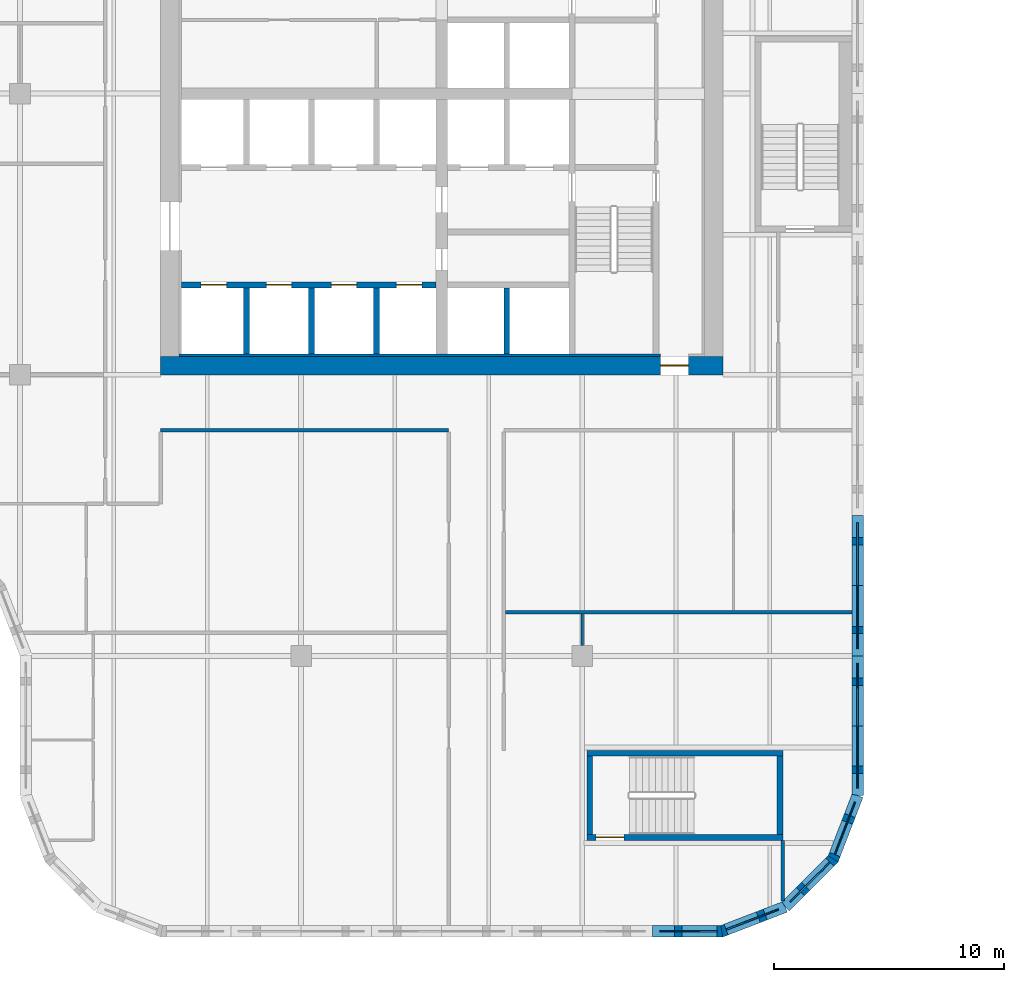
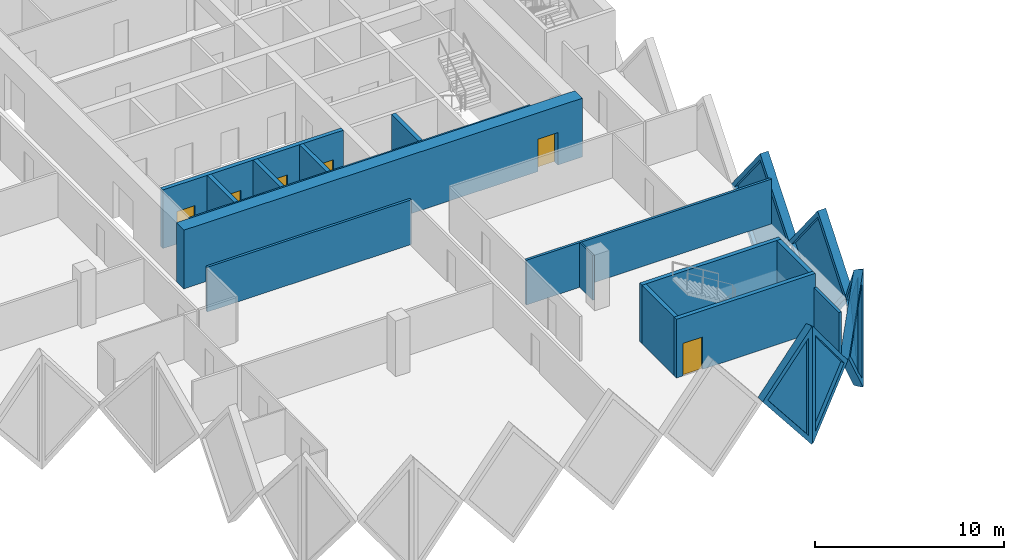
# One storey, part 6 of 21: 21 walls, 6 doors, 6 plates, 12 openings.
"""IFC4 building model written with IfcOpenShell, lengths in metres."""

from ifc_helpers import new_model, si_unit, direction, frame, frame_2d, origin, place, context, subcontext, project, spatial, polyline, rectangle, outline, extrude, faceted_brep, source, transform, mapped, material, layer, layer_set, type_object, element, fill, save


model = new_model("IFC4")

# Units and contexts
model_context = context("Model", 3, precision=1e-05, world=origin(), true_north=direction((0.0, 1.0)))
body_context = subcontext(model_context, "Body", "Model", "MODEL_VIEW")
ifc_project = project(units=[si_unit("LENGTHUNIT", "METRE"), si_unit("AREAUNIT", "SQUARE_METRE"), si_unit("VOLUMEUNIT", "CUBIC_METRE"), si_unit("PLANEANGLEUNIT", "RADIAN"), si_unit("MASSUNIT", "GRAM", prefix="KILO")], contexts=[model_context])

# Site, building, storey
site_placement = place(None, origin())
site = spatial("IfcSite", under=ifc_project, at=site_placement, CompositionType="ELEMENT")
building_placement = place(site_placement, origin())
building = spatial("IfcBuilding", under=site, at=building_placement, Name="Tessera Gate Towers", CompositionType="ELEMENT")
storey_placement = place(building_placement, frame((0.0, 0.0, 91.39990234375)))
storey = spatial("IfcBuildingStorey", under=building, at=storey_placement, Name="L22", CompositionType="ELEMENT", Elevation=91.39990234375)

# Wall, openings, doors
ifc_material_1 = material(Name="Concrete C40/50", Category="concrete")
ifc_layer_1 = layer(ifc_material_1, 0.25)
ifc_layer_set_1 = layer_set([ifc_layer_1], Name="CORE ENCLOSURE WALL 250")
wall_type_1 = type_object("IfcWallType", Name="CORE ENCLOSURE WALL 250", PredefinedType="SOLIDWALL", material=ifc_layer_set_1)
wall_1_placement = place(storey_placement, frame((31.39990234375, 28.300048828125, 0.0), z_axis=(0.0, 0.0, 1.0), x_axis=(1.0, 0.0, 0.0)))
wall_1 = element("IfcWall", 1, at=wall_1_placement, inside=storey, type_object=wall_type_1, Name="L22 shaft and stair enclosure wall", PredefinedType="SOLIDWALL", context=body_context, shape_type="SweptSolid", body=[
    extrude(rectangle(XDim=11.050048828125, YDim=0.25, at=frame_2d((5.52490234375, 0.0))), origin(), (0.0, 0.0, 1.0), 3.800048828125),
])
shared_shape_1 = source(origin(), body_context, "Body", "SweptSolid", [
    extrude(rectangle(XDim=1.10009765625, YDim=2.10009765625, at=frame_2d((0.550048828125, 1.050048828125))), frame((0.0, 0.135009765625, 0.0), z_axis=(0.0, -1.0, 0.0), x_axis=(1.0, 0.0, 0.0)), (0.0, 0.0, 1.0), 0.27001953125),
])
opening_1_placement = place(wall_1_placement, frame((0.862548828125, 0.0, 0.0)))
opening_1 = element("IfcOpeningElement", 2, at=opening_1_placement, cuts=wall_1, Name="Opening LD-LR1", PredefinedType="OPENING", context=body_context, shape_type="MappedRepresentation", body=[
    mapped(shared_shape_1, transform((0.0, 0.0, 0.0), scale=1.0)),
])
opening_2_placement = place(wall_1_placement, frame((3.6875, 0.0, 0.0)))
opening_2 = element("IfcOpeningElement", 3, at=opening_2_placement, cuts=wall_1, Name="Opening LD-LR2", PredefinedType="OPENING", context=body_context, shape_type="MappedRepresentation", body=[
    mapped(shared_shape_1, transform((0.0, 0.0, 0.0), scale=1.0)),
])
opening_3_placement = place(wall_1_placement, frame((6.512451171875, 0.0, 0.0)))
opening_3 = element("IfcOpeningElement", 4, at=opening_3_placement, cuts=wall_1, Name="Opening LD-LR3", PredefinedType="OPENING", context=body_context, shape_type="MappedRepresentation", body=[
    mapped(shared_shape_1, transform((0.0, 0.0, 0.0), scale=1.0)),
])
opening_4_placement = place(wall_1_placement, frame((9.33740234375, 0.0, 0.0)))
opening_4 = element("IfcOpeningElement", 5, at=opening_4_placement, cuts=wall_1, Name="Opening LD-LR4", PredefinedType="OPENING", context=body_context, shape_type="MappedRepresentation", body=[
    mapped(shared_shape_1, transform((0.0, 0.0, 0.0), scale=1.0)),
])
ifc_material_2 = material(Name="Stainless steel", Category="steel")
door_type_1 = type_object("IfcDoorType", Name="CORE DOOR LD 1100x2100", OperationType="DOUBLE_DOOR_SLIDING", PredefinedType="DOOR", material=ifc_material_2)
shared_shape_2 = source(origin(), body_context, "Body", "SweptSolid", [
    extrude(rectangle(XDim=1.10009765625, YDim=2.10009765625, at=frame_2d((0.550048828125, 1.050048828125))), frame((0.0, 0.02490234375, 0.0), z_axis=(0.0, -1.0, 0.0), x_axis=(1.0, 0.0, 0.0)), (0.0, 0.0, 1.0), 0.050048828125),
])
door_1_placement = place(opening_1_placement, origin())
door_1 = element("IfcDoor", 6, at=door_1_placement, inside=storey, type_object=door_type_1, Name="Landing door LR1 L22", OperationType="DOUBLE_DOOR_SLIDING", OverallHeight=2.10009765625, OverallWidth=1.10009765625, PredefinedType="DOOR", context=body_context, shape_type="MappedRepresentation", body=[
    mapped(shared_shape_2, transform((0.0, 0.0, 0.0), scale=1.0)),
])
fill(opening_1, door_1)
door_2_placement = place(opening_2_placement, origin())
door_2 = element("IfcDoor", 7, at=door_2_placement, inside=storey, type_object=door_type_1, Name="Landing door LR2 L22", OperationType="DOUBLE_DOOR_SLIDING", OverallHeight=2.10009765625, OverallWidth=1.10009765625, PredefinedType="DOOR", context=body_context, shape_type="MappedRepresentation", body=[
    mapped(shared_shape_2, transform((0.0, 0.0, 0.0), scale=1.0)),
])
fill(opening_2, door_2)
door_3_placement = place(opening_3_placement, origin())
door_3 = element("IfcDoor", 8, at=door_3_placement, inside=storey, type_object=door_type_1, Name="Landing door LR3 L22", OperationType="DOUBLE_DOOR_SLIDING", OverallHeight=2.10009765625, OverallWidth=1.10009765625, PredefinedType="DOOR", context=body_context, shape_type="MappedRepresentation", body=[
    mapped(shared_shape_2, transform((0.0, 0.0, 0.0), scale=1.0)),
])
fill(opening_3, door_3)
door_4_placement = place(opening_4_placement, origin())
door_4 = element("IfcDoor", 9, at=door_4_placement, inside=storey, type_object=door_type_1, Name="Landing door LR4 L22", OperationType="DOUBLE_DOOR_SLIDING", OverallHeight=2.10009765625, OverallWidth=1.10009765625, PredefinedType="DOOR", context=body_context, shape_type="MappedRepresentation", body=[
    mapped(shared_shape_2, transform((0.0, 0.0, 0.0), scale=1.0)),
])
fill(opening_4, door_4)

# Walls
for number, where, z_axis, x_axis, name in (
    (10, (34.22509765625, 25.300048828125, 0.0), (0.0, 0.0, 1.0), (0.0, 1.0, 0.0), "L22 shaft and stair enclosure wall"),
    (11, (37.050048828125, 25.300048828125, 0.0), (0.0, 0.0, 1.0), (0.0, 1.0, 0.0), "L22 shaft and stair enclosure wall"),
    (12, (39.875, 25.300048828125, 0.0), (0.0, 0.0, 1.0), (0.0, 1.0, 0.0), "L22 shaft and stair enclosure wall"),
    (13, (45.52490234375, 25.300048828125, 0.0), (0.0, 0.0, 1.0), (0.0, 1.0, 0.0), "L22 shaft and stair enclosure wall"),
):
    element("IfcWall", number, at=place(storey_placement, frame(where, z_axis=z_axis, x_axis=x_axis)), inside=storey, type_object=wall_type_1, Name=name, PredefinedType="SOLIDWALL", context=body_context, shape_type="SweptSolid", body=[
        extrude(rectangle(XDim=2.875, YDim=0.25, at=frame_2d((1.4375, 0.0))), origin(), (0.0, 0.0, 1.0), 3.800048828125),
    ])

# Wall, opening, door
wall_2_placement = place(storey_placement, frame((57.5, 4.324951171875, 0.0), z_axis=(0.0, 0.0, 1.0), x_axis=(-1.0, 0.0, 0.0)))
wall_2 = element("IfcWall", 14, at=wall_2_placement, inside=storey, type_object=wall_type_1, Name="L22 ST4 enclosure wall", PredefinedType="SOLIDWALL", context=body_context, shape_type="SweptSolid", body=[
    extrude(rectangle(XDim=8.5, YDim=0.25, at=frame_2d((4.25, 0.0))), origin(), (0.0, 0.0, 1.0), 3.800048828125),
])
shared_shape_3 = source(origin(), body_context, "Body", "SweptSolid", [
    extrude(rectangle(XDim=1.199951171875, YDim=2.10009765625, at=frame_2d((0.60009765625, 1.050048828125))), frame((0.0, 0.135009765625, 0.0), z_axis=(0.0, -1.0, 0.0), x_axis=(1.0, 0.0, 0.0)), (0.0, 0.0, 1.0), 0.27001953125),
])
opening_5_placement = place(wall_2_placement, frame((6.89990234375, 0.0, 0.0)))
opening_5 = element("IfcOpeningElement", 15, at=opening_5_placement, cuts=wall_2, Name="Opening SD-ST4-1", PredefinedType="OPENING", context=body_context, shape_type="MappedRepresentation", body=[
    mapped(shared_shape_3, transform((0.0, 0.0, 0.0), scale=1.0)),
])
ifc_material_3 = material(Name="Hollow steel fire door", Category="steel")
door_type_2 = type_object("IfcDoorType", Name="CORE DOOR SD 1200x2100", OperationType="NOTDEFINED", PredefinedType="DOOR", material=ifc_material_3)
shared_shape_4 = source(origin(), body_context, "Body", "SweptSolid", [
    extrude(rectangle(XDim=1.199951171875, YDim=2.10009765625, at=frame_2d((0.60009765625, 1.050048828125))), frame((0.0, 0.02490234375, 0.0), z_axis=(0.0, -1.0, 0.0), x_axis=(1.0, 0.0, 0.0)), (0.0, 0.0, 1.0), 0.050048828125),
])
door_5_placement = place(opening_5_placement, origin())
door_5 = element("IfcDoor", 16, at=door_5_placement, inside=storey, type_object=door_type_2, Name="Stair door", OperationType="SINGLE_SWING_RIGHT", OverallHeight=2.10009765625, OverallWidth=1.199951171875, PredefinedType="DOOR", context=body_context, shape_type="MappedRepresentation", body=[
    mapped(shared_shape_4, transform((0.0, 0.0, 0.0), scale=1.0)),
])
fill(opening_5, door_5)

# Walls
wall_3_placement = place(storey_placement, frame((49.125, 4.449951171875, 0.0), z_axis=(0.0, 0.0, 1.0), x_axis=(0.0, 1.0, 0.0)))
element("IfcWall", 17, at=wall_3_placement, inside=storey, type_object=wall_type_1, Name="L22 ST4 enclosure wall", PredefinedType="SOLIDWALL", context=body_context, shape_type="SweptSolid", body=[
    extrude(rectangle(XDim=3.400146484375, YDim=0.25, at=frame_2d((1.7001953125, 0.0))), origin(), (0.0, 0.0, 1.0), 3.800048828125),
])
wall_4_placement = place(storey_placement, frame((49.0, 7.97509765625, 0.0), z_axis=(0.0, 0.0, 1.0), x_axis=(1.0, 0.0, 0.0)))
element("IfcWall", 18, at=wall_4_placement, inside=storey, type_object=wall_type_1, Name="L22 ST4 enclosure wall", PredefinedType="SOLIDWALL", context=body_context, shape_type="SweptSolid", body=[
    extrude(rectangle(XDim=8.5, YDim=0.25, at=frame_2d((4.25, 0.0))), origin(), (0.0, 0.0, 1.0), 3.800048828125),
])
wall_5_placement = place(storey_placement, frame((57.375, 7.85009765625, 0.0), z_axis=(0.0, 0.0, 1.0), x_axis=(0.0, -1.0, 0.0)))
element("IfcWall", 19, at=wall_5_placement, inside=storey, type_object=wall_type_1, Name="L22 ST4 enclosure wall", PredefinedType="SOLIDWALL", context=body_context, shape_type="SweptSolid", body=[
    extrude(rectangle(XDim=3.400146484375, YDim=0.25, at=frame_2d((1.7001953125, 0.0))), origin(), (0.0, 0.0, 1.0), 3.800048828125),
])

# Wall, opening, door
ifc_material_4 = material(Name="Concrete C60/75", Category="concrete")
ifc_layer_2 = layer(ifc_material_4, 0.800048828125)
ifc_layer_set_2 = layer_set([ifc_layer_2], Name="CORE SHEAR WALL 800 C60/75")
wall_type_2 = type_object("IfcWallType", Name="CORE SHEAR WALL 800 C60/75", PredefinedType="SHEAR", material=ifc_layer_set_2)
wall_6_placement = place(storey_placement, frame((54.89990234375, 24.800048828125, 0.0), z_axis=(0.0, 0.0, 1.0), x_axis=(-1.0, 0.0, 0.0)))
wall_6 = element("IfcWall", 20, at=wall_6_placement, inside=storey, type_object=wall_type_2, Name="Core wall S L22", PredefinedType="SHEAR", context=body_context, shape_type="SweptSolid", body=[
    extrude(rectangle(XDim=24.39990234375, YDim=0.800048828125, at=frame_2d((12.199951171875, 0.0))), origin(), (0.0, 0.0, 1.0), 3.800048828125),
])
shared_shape_5 = source(origin(), body_context, "Body", "SweptSolid", [
    extrude(rectangle(XDim=1.199951171875, YDim=2.10009765625, at=frame_2d((0.60009765625, 1.050048828125))), frame((0.0, 0.409912109375, 0.0), z_axis=(0.0, -1.0, 0.0), x_axis=(1.0, 0.0, 0.0)), (0.0, 0.0, 1.0), 0.820068359375),
])
opening_6_placement = place(wall_6_placement, frame((1.5, 0.0, 0.0)))
opening_6 = element("IfcOpeningElement", 21, at=opening_6_placement, cuts=wall_6, Name="Opening ED-T1-15-01", PredefinedType="OPENING", context=body_context, shape_type="MappedRepresentation", body=[
    mapped(shared_shape_5, transform((0.0, 0.0, 0.0), scale=1.0)),
])
ifc_material_5 = material(Name="Hollow steel fire door", Category="steel")
door_type_3 = type_object("IfcDoorType", Name="CORE DOOR ED 1200x2100", OperationType="NOTDEFINED", PredefinedType="DOOR", material=ifc_material_5)
door_6_placement = place(opening_6_placement, origin())
door_6 = element("IfcDoor", 22, at=door_6_placement, inside=storey, type_object=door_type_3, Name="Core exit door", OperationType="SINGLE_SWING_LEFT", OverallHeight=2.10009765625, OverallWidth=1.199951171875, PredefinedType="DOOR", context=body_context, shape_type="MappedRepresentation", body=[
    mapped(shared_shape_4, transform((0.0, 0.0, 0.0), scale=1.0)),
])
fill(opening_6, door_6)

# Walls
ifc_material_6 = material(Name="Concrete C60/75", Category="concrete")
ifc_layer_3 = layer(ifc_material_6, 0.10009765625)
ifc_layer_set_3 = layer_set([ifc_layer_3], Name="CORE WALL THICKENING 100")
wall_type_3 = type_object("IfcWallType", Name="CORE WALL THICKENING 100", PredefinedType="SOLIDWALL", material=ifc_layer_set_3)
wall_7_placement = place(storey_placement, frame((31.300048828125, 25.25, 0.0), z_axis=(0.0, 0.0, 1.0), x_axis=(1.0, 0.0, 0.0)))
element("IfcWall", 23, at=wall_7_placement, inside=storey, type_object=wall_type_3, Name="Core wall thickening S L22", PredefinedType="SOLIDWALL", context=body_context, shape_type="SweptSolid", body=[
    extrude(rectangle(XDim=20.89990234375, YDim=0.10009765625, at=frame_2d((10.449951171875, 0.0))), origin(), (0.0, 0.0, 1.0), 3.800048828125),
])
ifc_material_7 = material(Name="Gypsum board on steel studs, mineral wool", Category="steel")
ifc_layer_4 = layer(ifc_material_7, 0.14990234375)
ifc_layer_set_4 = layer_set([ifc_layer_4], Name="CORRIDOR WALL 150")
wall_type_4 = type_object("IfcWallType", Name="CORRIDOR WALL 150", PredefinedType="PARTITIONING", material=ifc_layer_set_4)
wall_8_placement = place(storey_placement, frame((57.5, 1.55908203125, 0.0), z_axis=(0.0, 0.0, 1.0), x_axis=(0.0, 1.0, 0.0)))
element("IfcWall", 24, at=wall_8_placement, inside=storey, type_object=wall_type_4, Name="T1-L22-PW-002", PredefinedType="PARTITIONING", context=body_context, shape_type="SweptSolid", body=[
    extrude(rectangle(XDim=2.640869140625, YDim=0.14990234375, at=frame_2d((1.3203125, 0.0))), origin(), (0.0, 0.0, 1.0), 2.89501953125),
])
wall_9_placement = place(storey_placement, frame((30.5, 22.0, 0.0), z_axis=(0.0, 0.0, 1.0), x_axis=(1.0, 0.0, 0.0)))
element("IfcWall", 25, at=wall_9_placement, inside=storey, type_object=wall_type_4, Name="T1-L22-PW-022", PredefinedType="PARTITIONING", context=body_context, shape_type="SweptSolid", body=[
    extrude(rectangle(XDim=12.5, YDim=0.14990234375, at=frame_2d((6.25, 0.0))), origin(), (0.0, 0.0, 1.0), 2.89501953125),
])
ifc_material_8 = material(Name="Gypsum board on steel studs", Category="steel")
ifc_layer_5 = layer(ifc_material_8, 0.10009765625)
ifc_layer_set_5 = layer_set([ifc_layer_5], Name="PARTITION 100")
wall_type_5 = type_object("IfcWallType", Name="PARTITION 100", PredefinedType="PARTITIONING", material=ifc_layer_set_5)
wall_10_placement = place(storey_placement, frame((48.800048828125, 12.64990234375, 0.0), z_axis=(0.0, 0.0, 1.0), x_axis=(0.0, 1.0, 0.0)))
element("IfcWall", 26, at=wall_10_placement, inside=storey, type_object=wall_type_5, Name="T1-L22-PW-008", PredefinedType="PARTITIONING", context=body_context, shape_type="SweptSolid", body=[
    extrude(rectangle(XDim=1.375, YDim=0.10009765625, at=frame_2d((0.6875, 0.0))), origin(), (0.0, 0.0, 1.0), 2.89501953125),
])
ifc_material_9 = material(Name="Gypsum board on steel studs, mineral wool", Category="steel")
ifc_layer_6 = layer(ifc_material_9, 0.14990234375)
ifc_layer_set_6 = layer_set([ifc_layer_6], Name="TENANCY WALL 150")
wall_type_6 = type_object("IfcWallType", Name="TENANCY WALL 150", PredefinedType="PARTITIONING", material=ifc_layer_set_6)
wall_11_placement = place(storey_placement, frame((45.47607421875, 14.10009765625, 0.0), z_axis=(0.0, 0.0, 1.0), x_axis=(1.0, 0.0, 0.0)))
element("IfcWall", 27, at=wall_11_placement, inside=storey, type_object=wall_type_6, Name="T1-L22-PW-013", PredefinedType="PARTITIONING", context=body_context, shape_type="SweptSolid", body=[
    extrude(rectangle(XDim=15.02392578125, YDim=0.14990234375, at=frame_2d((7.511962890625, 0.0))), origin(), (0.0, 0.0, 1.0), 2.89501953125),
])

# Wall, opening, plate
ifc_material_10 = material(Name="Precast concrete C60/75 white", Category="concrete")
ifc_layer_7 = layer(ifc_material_10, 0.5)
ifc_layer_set_7 = layer_set([ifc_layer_7], Name="TS1 tessera")
wall_type_7 = type_object("IfcWallType", Name="TS1 tessera", PredefinedType="SOLIDWALL", material=ifc_layer_set_7)
shared_shape_6 = source(origin(), body_context, "Body", "SweptSolid", [
    extrude(outline(polyline([(3.050048828125, 0.0), (6.10009765625, 3.7998046875), (3.050048828125, 7.599853515625), (0.0, 3.7998046875), (3.050048828125, 0.0)])), frame((0.0, 0.25, 0.0), z_axis=(0.0, -1.0, 0.0), x_axis=(1.0, 0.0, 0.0)), (0.0, 0.0, 1.0), 0.5),
])
wall_12_placement = place(storey_placement, frame((60.75, 12.199951171875, -3.7998046875), z_axis=(0.0, 0.0, 1.0), x_axis=(0.0, 1.0, 0.0)))
wall_12 = element("IfcWall", 28, at=wall_12_placement, inside=storey, type_object=wall_type_7, Name="Precast tessera T1 TS1-0349", PredefinedType="SOLIDWALL", context=body_context, shape_type="MappedRepresentation", body=[
    mapped(shared_shape_6, transform((0.0, 0.0, 0.0), scale=1.0)),
])
shared_shape_7 = source(origin(), body_context, "Body", "SweptSolid", [
    extrude(outline(polyline([(3.050048828125, 0.3994140625), (5.779541015625, 3.7998046875), (3.050048828125, 7.200439453125), (0.320556640625, 3.7998046875), (3.050048828125, 0.3994140625)])), frame((0.0, 0.260009765625, 0.0), z_axis=(0.0, -1.0, 0.0), x_axis=(1.0, 0.0, 0.0)), (0.0, 0.0, 1.0), 0.52001953125),
])
opening_7_placement = place(wall_12_placement, origin())
opening_7 = element("IfcOpeningElement", 29, at=opening_7_placement, cuts=wall_12, Name="Opening T1-PL2-0715", PredefinedType="OPENING", context=body_context, shape_type="MappedRepresentation", body=[
    mapped(shared_shape_7, transform((0.0, 0.0, 0.0), scale=1.0)),
])
ifc_material_11 = material(Name="Low-e laminated glass", Category="glass")
ifc_layer_8 = layer(ifc_material_11, 0.06005859375)
ifc_layer_set_8 = layer_set([ifc_layer_8], Name="PL2 rhombic pane")
plate_type = type_object("IfcPlateType", Name="PL2 rhombic pane", PredefinedType="SHEET", material=ifc_layer_set_8)
shared_shape_8 = source(origin(), body_context, "Body", "SweptSolid", [
    extrude(outline(polyline([(3.050048828125, 0.3994140625), (5.779541015625, 3.7998046875), (3.050048828125, 7.200439453125), (0.320556640625, 3.7998046875), (3.050048828125, 0.3994140625)])), frame((0.0, 0.030029296875, 0.0), z_axis=(0.0, -1.0, 0.0), x_axis=(1.0, 0.0, 0.0)), (0.0, 0.0, 1.0), 0.06005859375),
])
plate_1_placement = place(opening_7_placement, origin())
plate_1 = element("IfcPlate", 30, at=plate_1_placement, inside=storey, type_object=plate_type, Name="Glass pane T1 PL2-0715", PredefinedType="SHEET", context=body_context, shape_type="MappedRepresentation", body=[
    mapped(shared_shape_8, transform((0.0, 0.0, 0.0), scale=1.0)),
])
fill(opening_7, plate_1)

ifc_material_12 = material(Name="Precast concrete C60/75 white", Category="concrete")
ifc_layer_9 = layer(ifc_material_12, 0.5)
ifc_layer_set_9 = layer_set([ifc_layer_9], Name="TS3 corner tessera")
wall_type_8 = type_object("IfcWallType", Name="TS3 corner tessera", PredefinedType="SOLIDWALL", material=ifc_layer_set_9)
shared_shape_9 = source(origin(), body_context, "Body", "Brep", [
    faceted_brep([(3.00341796875, -0.25, 0.0), (3.050048828125, -0.25, 0.06005859375), (3.050048828125, -0.25, 7.539794921875), (3.00341796875, -0.25, 7.599853515625), (0.0, -0.25, 3.7998046875), (0.0, 0.25, 3.7998046875), (2.956787109375, 0.25, 7.541015625), (2.956787109375, 0.25, 0.058837890625), (3.00341796875, 0.000244140625, 0.0), (3.00341796875, 0.000244140625, 7.599853515625)], [[[0, 1, 2, 3, 4]], [[5, 6, 7]], [[1, 0, 8]], [[9, 3, 2]], [[6, 5, 4, 3, 9]], [[5, 7, 8, 0, 4]], [[1, 8, 7, 6, 9, 2]]]),
])
wall_13_placement = place(storey_placement, frame((51.85009765625, 0.25, -3.7998046875), z_axis=(0.0, 0.0, 1.0), x_axis=(1.0, 0.0, 0.0)))
wall_13 = element("IfcWall", 31, at=wall_13_placement, inside=storey, type_object=wall_type_8, Name="Precast corner tessera T1 TS3-0483", PredefinedType="SOLIDWALL", context=body_context, shape_type="MappedRepresentation", body=[
    mapped(shared_shape_9, transform((0.0, 0.0, 0.0), scale=1.0)),
])
shared_shape_10 = source(origin(), body_context, "Body", "SweptSolid", [
    extrude(outline(polyline([(2.803466796875, 6.943603515625), (0.318603515625, 3.7998046875), (2.803466796875, 0.656005859375), (2.803466796875, 6.943603515625)])), frame((0.0, 0.260009765625, 0.0), z_axis=(0.0, -1.0, 0.0), x_axis=(1.0, 0.0, 0.0)), (0.0, 0.0, 1.0), 0.52001953125),
])
opening_8_placement = place(wall_13_placement, origin())
opening_8 = element("IfcOpeningElement", 32, at=opening_8_placement, cuts=wall_13, Name="Opening T1-PL2-0710", PredefinedType="OPENING", context=body_context, shape_type="MappedRepresentation", body=[
    mapped(shared_shape_10, transform((0.0, 0.0, 0.0), scale=1.0)),
])
shared_shape_11 = source(origin(), body_context, "Body", "SweptSolid", [
    extrude(outline(polyline([(2.803466796875, 6.943603515625), (0.318603515625, 3.7998046875), (2.803466796875, 0.656005859375), (2.803466796875, 6.943603515625)])), frame((0.0, 0.030029296875, 0.0), z_axis=(0.0, -1.0, 0.0), x_axis=(1.0, 0.0, 0.0)), (0.0, 0.0, 1.0), 0.06005859375),
])
plate_2_placement = place(opening_8_placement, origin())
plate_2 = element("IfcPlate", 33, at=plate_2_placement, inside=storey, type_object=plate_type, Name="Glass pane T1 PL2-0710", PredefinedType="SHEET", context=body_context, shape_type="MappedRepresentation", body=[
    mapped(shared_shape_11, transform((0.0, 0.0, 0.0), scale=1.0)),
])
fill(opening_8, plate_2)

shared_shape_12 = source(origin(), body_context, "Body", "Brep", [
    faceted_brep([(0.046630859375, -0.25, 0.0), (2.9970703125, -0.25, 3.7998046875), (0.046630859375, -0.25, 7.599853515625), (0.0, -0.25, 7.541015625), (0.0, -0.25, 0.058837890625), (0.09326171875, 0.25, 7.539794921875), (2.9443359375, 0.25, 3.867919921875), (2.9443359375, 0.25, 3.731689453125), (0.09326171875, 0.25, 0.06005859375), (2.9970703125, 0.00048828125, 3.7998046875), (0.046630859375, 0.0, 0.0), (0.046630859375, 0.0, 7.599853515625)], [[[0, 1, 2, 3, 4]], [[5, 6, 7, 8]], [[8, 7, 9, 1, 0, 10]], [[6, 5, 11, 2, 1, 9]], [[3, 2, 11]], [[10, 0, 4]], [[8, 10, 4, 3, 11, 5]], [[9, 7, 6]]]),
])
wall_14_placement = place(storey_placement, frame((54.81005859375, 0.233154296875, -3.7998046875), z_axis=(0.0, 0.0, 1.0), x_axis=(0.932990326376, 0.359901446078, 0.0)))
wall_14 = element("IfcWall", 34, at=wall_14_placement, inside=storey, type_object=wall_type_8, Name="Precast corner tessera T1 TS3-0484", PredefinedType="SOLIDWALL", context=body_context, shape_type="MappedRepresentation", body=[
    mapped(shared_shape_12, transform((0.0, 0.0, 0.0), scale=1.0)),
])
shared_shape_13 = source(origin(), body_context, "Body", "SweptSolid", [
    extrude(outline(polyline([(0.24658203125, 0.6650390625), (2.6806640625, 3.7998046875), (0.24658203125, 6.9345703125), (0.24658203125, 0.6650390625)])), frame((0.0, 0.260009765625, 0.0), z_axis=(0.0, -1.0, 0.0), x_axis=(1.0, 0.0, 0.0)), (0.0, 0.0, 1.0), 0.52001953125),
])
opening_9_placement = place(wall_14_placement, origin())
opening_9 = element("IfcOpeningElement", 35, at=opening_9_placement, cuts=wall_14, Name="Opening T1-PL2-0711", PredefinedType="OPENING", context=body_context, shape_type="MappedRepresentation", body=[
    mapped(shared_shape_13, transform((0.0, 0.0, 0.0), scale=1.0)),
])
shared_shape_14 = source(origin(), body_context, "Body", "SweptSolid", [
    extrude(outline(polyline([(0.24658203125, 0.6650390625), (2.6806640625, 3.7998046875), (0.24658203125, 6.9345703125), (0.24658203125, 0.6650390625)])), frame((0.0, 0.030029296875, 0.0), z_axis=(0.0, -1.0, 0.0), x_axis=(1.0, 0.0, 0.0)), (0.0, 0.0, 1.0), 0.06005859375),
])
plate_3_placement = place(opening_9_placement, origin())
plate_3 = element("IfcPlate", 36, at=plate_3_placement, inside=storey, type_object=plate_type, Name="Glass pane T1 PL2-0711", PredefinedType="SHEET", context=body_context, shape_type="MappedRepresentation", body=[
    mapped(shared_shape_14, transform((0.0, 0.0, 0.0), scale=1.0)),
])
fill(opening_9, plate_3)

shared_shape_15 = source(origin(), body_context, "Body", "Brep", [
    faceted_brep([(2.944091796875, -0.25, 0.0), (2.9970703125, -0.25, 0.068115234375), (2.9970703125, -0.25, 7.53173828125), (2.944091796875, -0.25, 7.599853515625), (0.0, -0.25, 3.7998046875), (0.052978515625, 0.25, 3.8681640625), (2.89111328125, 0.25, 7.53173828125), (2.89111328125, 0.25, 0.068115234375), (0.052978515625, 0.25, 3.7314453125), (2.944091796875, 0.000244140625, 0.0), (2.944091796875, 0.000244140625, 7.599853515625), (0.0, 0.0, 3.7998046875)], [[[0, 1, 2, 3, 4]], [[5, 6, 7, 8]], [[1, 0, 9]], [[10, 3, 2]], [[6, 5, 11, 4, 3, 10]], [[8, 7, 9, 0, 4, 11]], [[8, 11, 5]], [[1, 9, 7, 6, 10, 2]]]),
])
wall_15_placement = place(storey_placement, frame((57.606201171875, 1.31201171875, -3.7998046875), z_axis=(0.0, 0.0, 1.0), x_axis=(0.707147509625, 0.707066050402, 0.0)))
wall_15 = element("IfcWall", 37, at=wall_15_placement, inside=storey, type_object=wall_type_8, Name="Precast corner tessera T1 TS3-0485", PredefinedType="SOLIDWALL", context=body_context, shape_type="MappedRepresentation", body=[
    mapped(shared_shape_15, transform((0.0, 0.0, 0.0), scale=1.0)),
])
shared_shape_16 = source(origin(), body_context, "Body", "SweptSolid", [
    extrude(outline(polyline([(2.744140625, 6.93359375), (0.316162109375, 3.7998046875), (2.744140625, 0.666259765625), (2.744140625, 6.93359375)])), frame((0.0, 0.260009765625, 0.0), z_axis=(0.0, -1.0, 0.0), x_axis=(1.0, 0.0, 0.0)), (0.0, 0.0, 1.0), 0.52001953125),
])
opening_10_placement = place(wall_15_placement, origin())
opening_10 = element("IfcOpeningElement", 38, at=opening_10_placement, cuts=wall_15, Name="Opening T1-PL2-0712", PredefinedType="OPENING", context=body_context, shape_type="MappedRepresentation", body=[
    mapped(shared_shape_16, transform((0.0, 0.0, 0.0), scale=1.0)),
])
shared_shape_17 = source(origin(), body_context, "Body", "SweptSolid", [
    extrude(outline(polyline([(2.744140625, 6.93359375), (0.316162109375, 3.7998046875), (2.744140625, 0.666259765625), (2.744140625, 6.93359375)])), frame((0.0, 0.030029296875, 0.0), z_axis=(0.0, -1.0, 0.0), x_axis=(1.0, 0.0, 0.0)), (0.0, 0.0, 1.0), 0.06005859375),
])
plate_4_placement = place(opening_10_placement, origin())
plate_4 = element("IfcPlate", 39, at=plate_4_placement, inside=storey, type_object=plate_type, Name="Glass pane T1 PL2-0712", PredefinedType="SHEET", context=body_context, shape_type="MappedRepresentation", body=[
    mapped(shared_shape_17, transform((0.0, 0.0, 0.0), scale=1.0)),
])
fill(opening_10, plate_4)

shared_shape_18 = source(origin(), body_context, "Body", "Brep", [
    faceted_brep([(0.052978515625, -0.25, 0.0), (3.00341796875, -0.25, 3.7998046875), (0.052978515625, -0.25, 7.599853515625), (0.0, -0.25, 7.531494140625), (0.0, -0.25, 0.068359375), (0.10595703125, 0.25, 7.53173828125), (2.95703125, 0.25, 3.859619140625), (2.95703125, 0.25, 3.739990234375), (0.10595703125, 0.25, 0.068115234375), (3.00341796875, 0.00048828125, 3.7998046875), (0.052978515625, 0.0, 0.0), (0.052978515625, 0.0, 7.599853515625)], [[[0, 1, 2, 3, 4]], [[5, 6, 7, 8]], [[8, 7, 9, 1, 0, 10]], [[6, 5, 11, 2, 1, 9]], [[3, 2, 11]], [[10, 0, 4]], [[8, 10, 4, 3, 11, 5]], [[9, 7, 6]]]),
])
wall_16_placement = place(storey_placement, frame((59.6689453125, 3.34423828125, -3.7998046875), z_axis=(0.0, 0.0, 1.0), x_axis=(0.35992665181, 0.932980602862, 0.0)))
wall_16 = element("IfcWall", 40, at=wall_16_placement, inside=storey, type_object=wall_type_8, Name="Precast corner tessera T1 TS3-0486", PredefinedType="SOLIDWALL", context=body_context, shape_type="MappedRepresentation", body=[
    mapped(shared_shape_18, transform((0.0, 0.0, 0.0), scale=1.0)),
])
shared_shape_19 = source(origin(), body_context, "Body", "SweptSolid", [
    extrude(outline(polyline([(0.2529296875, 0.6650390625), (2.68701171875, 3.7998046875), (0.2529296875, 6.9345703125), (0.2529296875, 0.6650390625)])), frame((0.0, 0.260009765625, 0.0), z_axis=(0.0, -1.0, 0.0), x_axis=(1.0, 0.0, 0.0)), (0.0, 0.0, 1.0), 0.52001953125),
])
opening_11_placement = place(wall_16_placement, origin())
opening_11 = element("IfcOpeningElement", 41, at=opening_11_placement, cuts=wall_16, Name="Opening T1-PL2-0713", PredefinedType="OPENING", context=body_context, shape_type="MappedRepresentation", body=[
    mapped(shared_shape_19, transform((0.0, 0.0, 0.0), scale=1.0)),
])
shared_shape_20 = source(origin(), body_context, "Body", "SweptSolid", [
    extrude(outline(polyline([(0.2529296875, 0.6650390625), (2.68701171875, 3.7998046875), (0.2529296875, 6.9345703125), (0.2529296875, 0.6650390625)])), frame((0.0, 0.030029296875, 0.0), z_axis=(0.0, -1.0, 0.0), x_axis=(1.0, 0.0, 0.0)), (0.0, 0.0, 1.0), 0.06005859375),
])
plate_5_placement = place(opening_11_placement, origin())
plate_5 = element("IfcPlate", 42, at=plate_5_placement, inside=storey, type_object=plate_type, Name="Glass pane T1 PL2-0713", PredefinedType="SHEET", context=body_context, shape_type="MappedRepresentation", body=[
    mapped(shared_shape_20, transform((0.0, 0.0, 0.0), scale=1.0)),
])
fill(opening_11, plate_5)

shared_shape_21 = source(origin(), body_context, "Body", "Brep", [
    faceted_brep([(3.00341796875, -0.25, 0.0), (6.053466796875, -0.25, 3.7998046875), (3.00341796875, -0.25, 7.599853515625), (0.0, -0.25, 3.7998046875), (0.046630859375, 0.25, 3.858642578125), (3.00341796875, 0.25, 7.599853515625), (6.053466796875, 0.25, 3.7998046875), (3.00341796875, 0.25, 0.0), (0.046630859375, 0.25, 3.740966796875), (0.0, 0.0, 3.7998046875)], [[[0, 1, 2, 3]], [[4, 5, 6, 7, 8]], [[7, 6, 1, 0]], [[6, 5, 2, 1]], [[5, 4, 9, 3, 2]], [[8, 7, 0, 3, 9]], [[8, 9, 4]]]),
])
wall_17_placement = place(storey_placement, frame((60.75, 6.146484375, -3.7998046875), z_axis=(0.0, 0.0, 1.0), x_axis=(0.0, 1.0, 0.0)))
wall_17 = element("IfcWall", 43, at=wall_17_placement, inside=storey, type_object=wall_type_7, Name="Precast tessera T1 TS1-0348", PredefinedType="SOLIDWALL", context=body_context, shape_type="MappedRepresentation", body=[
    mapped(shared_shape_21, transform((0.0, 0.0, 0.0), scale=1.0)),
])
shared_shape_22 = source(origin(), body_context, "Body", "SweptSolid", [
    extrude(outline(polyline([(3.0048828125, 0.401123046875), (5.73291015625, 3.7998046875), (3.0048828125, 7.19873046875), (0.318603515625, 3.7998046875), (3.0048828125, 0.401123046875)])), frame((0.0, 0.260009765625, 0.0), z_axis=(0.0, -1.0, 0.0), x_axis=(1.0, 0.0, 0.0)), (0.0, 0.0, 1.0), 0.52001953125),
])
opening_12_placement = place(wall_17_placement, origin())
opening_12 = element("IfcOpeningElement", 44, at=opening_12_placement, cuts=wall_17, Name="Opening T1-PL2-0714", PredefinedType="OPENING", context=body_context, shape_type="MappedRepresentation", body=[
    mapped(shared_shape_22, transform((0.0, 0.0, 0.0), scale=1.0)),
])
shared_shape_23 = source(origin(), body_context, "Body", "SweptSolid", [
    extrude(outline(polyline([(3.0048828125, 0.401123046875), (5.73291015625, 3.7998046875), (3.0048828125, 7.19873046875), (0.318603515625, 3.7998046875), (3.0048828125, 0.401123046875)])), frame((0.0, 0.030029296875, 0.0), z_axis=(0.0, -1.0, 0.0), x_axis=(1.0, 0.0, 0.0)), (0.0, 0.0, 1.0), 0.06005859375),
])
plate_6_placement = place(opening_12_placement, origin())
plate_6 = element("IfcPlate", 45, at=plate_6_placement, inside=storey, type_object=plate_type, Name="Glass pane T1 PL2-0714", PredefinedType="SHEET", context=body_context, shape_type="MappedRepresentation", body=[
    mapped(shared_shape_23, transform((0.0, 0.0, 0.0), scale=1.0)),
])
fill(opening_12, plate_6)

save(model, "model.ifc")
